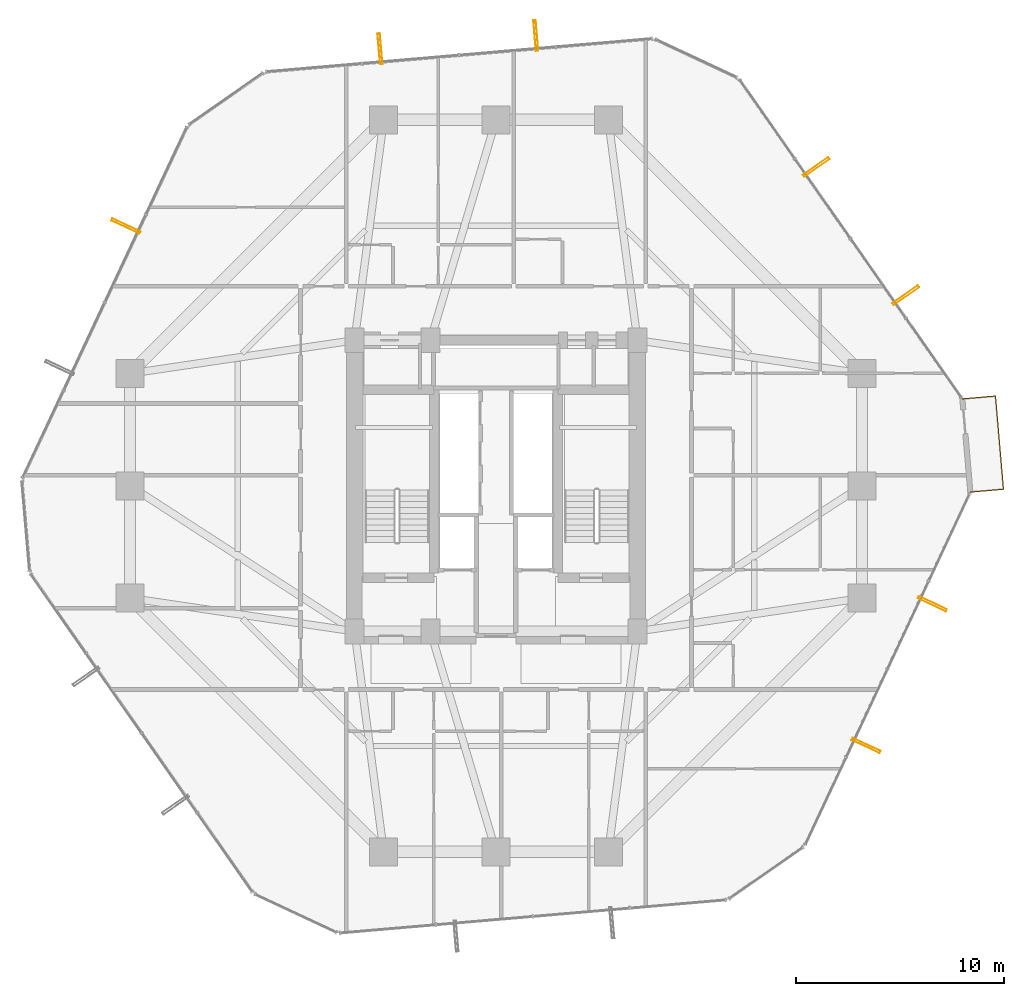
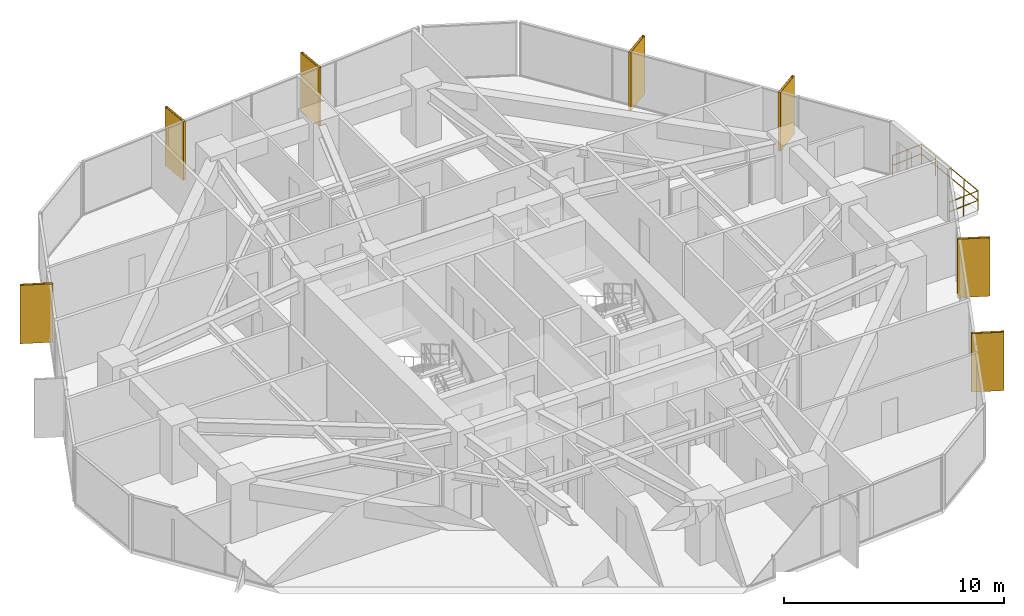
# One storey, part 37 of 37: 7 shading devices, 1 railing.
"""IFC4 building model written with IfcOpenShell, lengths in metres."""

from ifc_helpers import new_model, si_unit, direction, frame, origin, origin_2d, place, context, subcontext, project, spatial, hollow_rectangle, circle, extrude, material, material_profile, profile_set, type_object, element, save


model = new_model("IFC4")

# Units and contexts
model_context = context("Model", 3, precision=1e-05, world=origin(), true_north=direction((0.0, 1.0)))
body_context = subcontext(model_context, "Body", "Model", "MODEL_VIEW")
ifc_project = project(units=[si_unit("LENGTHUNIT", "METRE"), si_unit("AREAUNIT", "SQUARE_METRE"), si_unit("VOLUMEUNIT", "CUBIC_METRE"), si_unit("PLANEANGLEUNIT", "RADIAN"), si_unit("MASSUNIT", "GRAM", prefix="KILO")], contexts=[model_context])

# Site, building, storey
site_placement = place(None, origin())
site = spatial("IfcSite", under=ifc_project, at=site_placement, CompositionType="ELEMENT")
building_placement = place(site_placement, origin())
building = spatial("IfcBuilding", under=site, at=building_placement, Name="Veraguas Prism Commons", CompositionType="ELEMENT")
storey_placement = place(building_placement, frame((0.0, 0.0, 40.300048828125)))
storey = spatial("IfcBuildingStorey", under=building, at=storey_placement, Name="L10", CompositionType="ELEMENT", Elevation=40.300048828125)

# Shading devices
ifc_material_1 = material(Name="Anodised aluminium EN AW-6063 T6", Category="aluminium")
ifc_material_profile = material_profile(ifc_material_1, hollow_rectangle(XDim=0.1201171875, YDim=1.489990234375, WallThickness=0.006103515625, at=origin_2d()), Name="FIN120X1490X6")
ifc_profile_set = profile_set([ifc_material_profile], Name="Anodised aluminium EN AW-6063 T6")
shading_device_type = type_object("IfcShadingDeviceType", Name="Deep Pale-Metal Vertical Solar Fin 120x1490", PredefinedType="USERDEFINED", material=ifc_profile_set)
for number, where, z_axis, x_axis, name in (
    (1, (43.710693359375, 33.1650390625, -0.22998046875), (0.0, 0.0, 1.0), (-0.57214444201, 0.820152874455, 0.0), "Vertical Pale-Metal Solar Fin L10-F1A"),
    (2, (39.407470703125, 39.333740234375, -0.22998046875), (0.0, 0.0, 1.0), (-0.57214444201, 0.820152874455, 0.0), "Vertical Pale-Metal Solar Fin L10-F1B"),
    (3, (25.918212890625, 45.652587890625, -0.22998046875), (0.0, 0.0, 1.0), (-0.996345594346, -0.085413445236, 0.0), "Vertical Pale-Metal Solar Fin L10-F2A"),
    (4, (18.42431640625, 45.010009765625, -0.22998046875), (0.0, 0.0, 1.0), (-0.996345594346, -0.085413445236, 0.0), "Vertical Pale-Metal Solar Fin L10-F2B"),
    (5, (6.20751953125, 36.487548828125, -0.22998046875), (0.0, 0.0, 1.0), (-0.424199422745, -0.905568799011, 0.0), "Vertical Pale-Metal Solar Fin L10-F3A"),
    (6, (41.79248046875, 11.512451171875, -0.22998046875), (0.0, 0.0, 1.0), (0.424199422745, 0.905568799011, 0.0), "Vertical Pale-Metal Solar Fin L10-F6A"),
    (7, (44.983154296875, 18.32373046875, -0.22998046875), (0.0, 0.0, 1.0), (0.424199422745, 0.905568799011, 0.0), "Vertical Pale-Metal Solar Fin L10-F6B"),
):
    element("IfcShadingDevice", number, at=place(storey_placement, frame(where, z_axis=z_axis, x_axis=x_axis)), inside=storey, type_object=shading_device_type, Name=name, ObjectType="FIN", PredefinedType="USERDEFINED", context=body_context, shape_type="SweptSolid", body=[
        extrude(hollow_rectangle(XDim=0.1201171875, YDim=1.489990234375, WallThickness=0.006103515625, at=origin_2d()), origin(), (0.0, 0.0, 1.0), 3.25),
    ])

# Railing
ifc_material_2 = material(Name="Stainless steel AISI 316", Category="steel")
railing_type = type_object("IfcRailingType", Name="Loggia and Sky Pool Glazed Balustrade 1120", PredefinedType="BALUSTRADE", material=ifc_material_2)
railing_placement = place(storey_placement, frame((46.810302734375, 23.697265625, 0.0)))
element("IfcRailing", 8, at=railing_placement, inside=storey, type_object=railing_type, Name="Recessed Corner Loggia L10-C1 Guard", PredefinedType="BALUSTRADE", context=body_context, shape_type="SweptSolid", body=[
    extrude(circle(Radius=0.02392578125, at=origin_2d()), frame((0.0, 0.0, 1.09619140625), z_axis=(0.996341824521, 0.08545740875, 0.0), x_axis=(-0.08545740875, 0.996341824521, 0.0)), (0.0, 0.0, 1.0), 1.599853515625),
    extrude(circle(Radius=0.02392578125, at=origin_2d()), frame((0.0, 0.0, 0.56005859375), z_axis=(0.996341824521, 0.08545740875, 0.0), x_axis=(-0.08545740875, 0.996341824521, 0.0)), (0.0, 0.0, 1.0), 1.599853515625),
    extrude(circle(Radius=0.02392578125, at=origin_2d()), frame((1.593994140625, 0.13671875, 1.09619140625), z_axis=(-0.085398063647, 0.99634691284, 0.0), x_axis=(-0.99634691284, -0.085398063647, 0.0)), (0.0, 0.0, 1.0), 4.499755859375),
    extrude(circle(Radius=0.02392578125, at=origin_2d()), frame((1.593994140625, 0.13671875, 0.56005859375), z_axis=(-0.085398063647, 0.99634691284, 0.0), x_axis=(-0.99634691284, -0.085398063647, 0.0)), (0.0, 0.0, 1.0), 4.499755859375),
    extrude(circle(Radius=0.02392578125, at=origin_2d()), frame((1.209716796875, 4.6201171875, 1.09619140625), z_axis=(-0.996355916748, -0.085292949075, 0.0), x_axis=(0.085292949075, -0.996355916748, 0.0)), (0.0, 0.0, 1.0), 1.60009765625),
    extrude(circle(Radius=0.02392578125, at=origin_2d()), frame((1.209716796875, 4.6201171875, 0.56005859375), z_axis=(-0.996355916748, -0.085292949075, 0.0), x_axis=(0.085292949075, -0.996355916748, 0.0)), (0.0, 0.0, 1.0), 1.60009765625),
    extrude(circle(Radius=0.02099609375, at=origin_2d()), origin(), (0.0, 0.0, 1.0), 1.072021484375),
    extrude(circle(Radius=0.02099609375, at=origin_2d()), frame((0.796875, 0.068359375, 0.0)), (0.0, 0.0, 1.0), 1.072021484375),
    extrude(circle(Radius=0.02099609375, at=origin_2d()), frame((1.593994140625, 0.13671875, 0.0)), (0.0, 0.0, 1.0), 1.072021484375),
    extrude(circle(Radius=0.02099609375, at=origin_2d()), frame((1.498046875, 1.257568359375, 0.0)), (0.0, 0.0, 1.0), 1.072021484375),
    extrude(circle(Radius=0.02099609375, at=origin_2d()), frame((1.40185546875, 2.37841796875, 0.0)), (0.0, 0.0, 1.0), 1.072021484375),
    extrude(circle(Radius=0.02099609375, at=origin_2d()), frame((1.3056640625, 3.499267578125, 0.0)), (0.0, 0.0, 1.0), 1.072021484375),
    extrude(circle(Radius=0.02099609375, at=origin_2d()), frame((1.209716796875, 4.6201171875, 0.0)), (0.0, 0.0, 1.0), 1.072021484375),
    extrude(circle(Radius=0.02099609375, at=origin_2d()), frame((0.41259765625, 4.5517578125, 0.0)), (0.0, 0.0, 1.0), 1.072021484375),
    extrude(circle(Radius=0.02099609375, at=origin_2d()), frame((-0.384521484375, 4.483642578125, 0.0)), (0.0, 0.0, 1.0), 1.072021484375),
])

save(model, "model.ifc")
